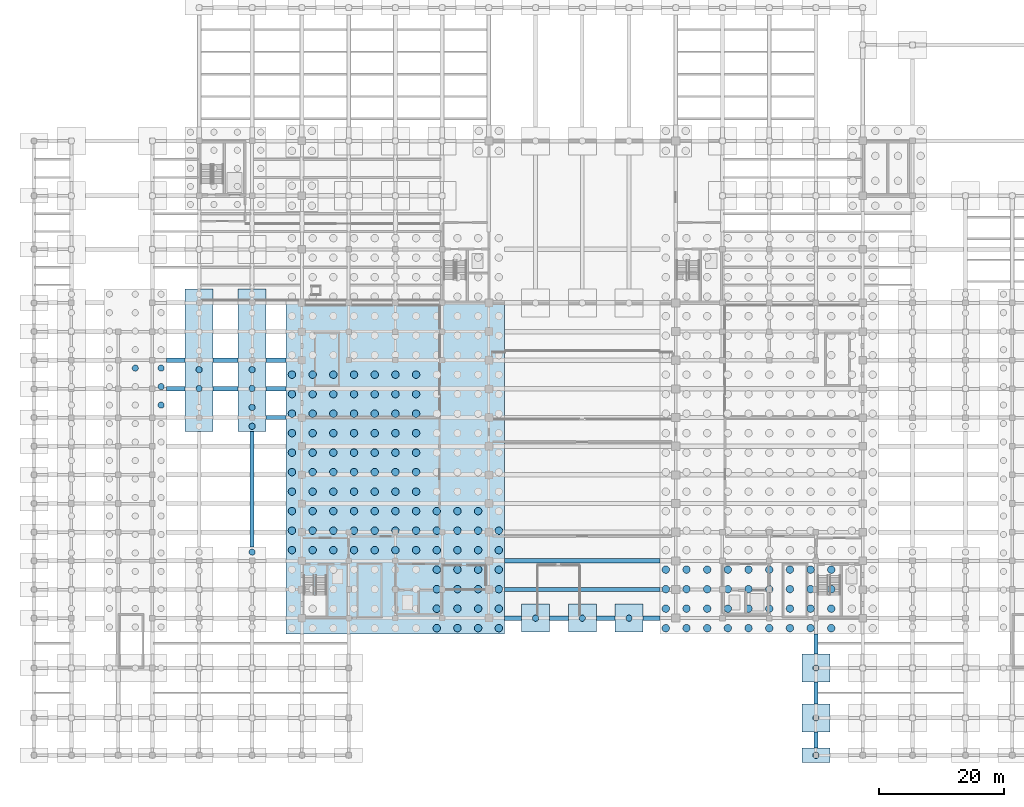
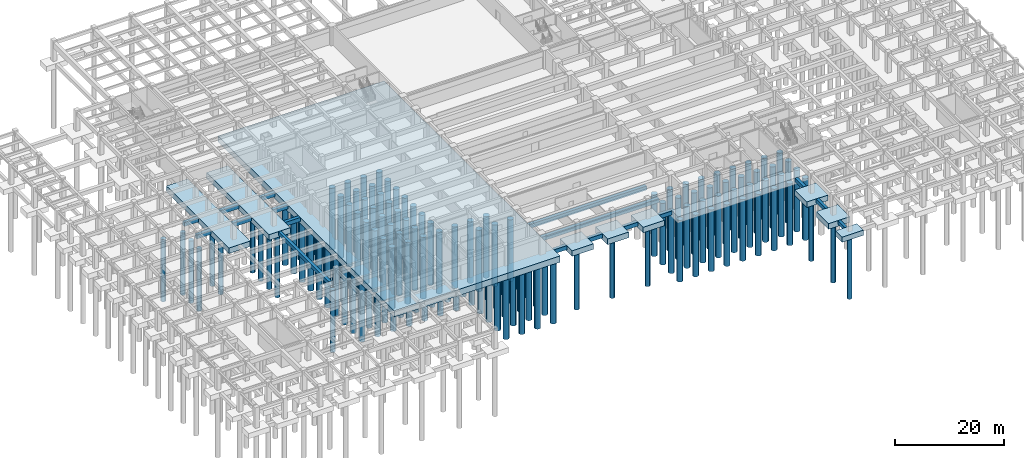
# One storey, part 3 of 32: 150 piles, 26 footings.
"""IFC4 building model written with IfcOpenShell, lengths in metres."""

from ifc_helpers import new_model, si_unit, direction, frame, origin, origin_2d, place, context, subcontext, project, spatial, rectangle, circle, extrude, material, material_profile, profile_set, type_object, element, save


model = new_model("IFC4")

# Units and contexts
model_context = context("Model", 3, precision=1e-05, world=origin(), true_north=direction((0.0, 1.0)))
body_context = subcontext(model_context, "Body", "Model", "MODEL_VIEW")
ifc_project = project(units=[si_unit("LENGTHUNIT", "METRE"), si_unit("AREAUNIT", "SQUARE_METRE"), si_unit("VOLUMEUNIT", "CUBIC_METRE"), si_unit("PLANEANGLEUNIT", "RADIAN"), si_unit("MASSUNIT", "GRAM", prefix="KILO")], contexts=[model_context])

# Site, building, storey
site_placement = place(None, origin())
site = spatial("IfcSite", under=ifc_project, at=site_placement, CompositionType="ELEMENT")
building_placement = place(site_placement, origin())
building = spatial("IfcBuilding", under=site, at=building_placement, Name="Muzn Square Opera House", CompositionType="ELEMENT")
storey_placement = place(building_placement, frame((0.0, 0.0, -4.199951171875)))
storey = spatial("IfcBuildingStorey", under=building, at=storey_placement, Name="B1", CompositionType="ELEMENT", Elevation=-4.199951171875)

# Piles
ifc_material = material(Name="Concrete C40/50", Category="concrete")
ifc_material_profile_1 = material_profile(ifc_material, circle(Radius=0.5, at=origin_2d()), Name="BORED PILE D1000", Category="concrete")
ifc_profile_set_1 = profile_set([ifc_material_profile_1], Name="Concrete C40/50")
pile_type_1 = type_object("IfcPileType", Name="Bored Pile D1000", PredefinedType="BORED", material=ifc_profile_set_1)
pile_placement = place(storey_placement, frame((125.5, 0.0, -1.469970703125), z_axis=(0.0, 0.0, -1.0), x_axis=(1.0, 0.0, 0.0)))
element("IfcPile", 1, at=pile_placement, inside=storey, type_object=pile_type_1, Name="Bored Pile BP-B1-BP-D1000-1255_0-9", PredefinedType="BORED", context=body_context, shape_type="SweptSolid", body=[
    extrude(circle(Radius=0.5, at=origin_2d()), origin(), (0.0, 0.0, 1.0), 14.030029296875),
])
for number, where, z_axis, x_axis, name in (
    (2, (125.5, 6.0, -1.570068359375), (0.0, 0.0, -1.0), (1.0, 0.0, 0.0), "Bored Pile BP-B1-BP-D1000-1255_60-24"),
    (3, (125.5, 14.0, -1.570068359375), (0.0, 0.0, -1.0), (1.0, 0.0, 0.0), "Bored Pile BP-B1-BP-D1000-1255_140-41"),
    (4, (16.25, 62.13330078125, -1.570068359375), (0.0, 0.0, -1.0), (1.0, 0.0, 0.0), "Bored Pile BP-B1-BP-D1000-162_621-565"),
    (5, (20.39990234375, 56.199951171875, -1.570068359375), (0.0, 0.0, -1.0), (1.0, 0.0, 0.0), "Bored Pile BP-B1-BP-D1000-204_562-582"),
    (6, (20.39990234375, 59.166748046875, -1.570068359375), (0.0, 0.0, -1.0), (1.0, 0.0, 0.0), "Bored Pile BP-B1-BP-D1000-204_592-583"),
    (7, (20.39990234375, 62.13330078125, -1.570068359375), (0.0, 0.0, -1.0), (1.0, 0.0, 0.0), "Bored Pile BP-B1-BP-D1000-204_621-584"),
    (8, (35.0, 32.60009765625, -1.570068359375), (0.0, 0.0, -1.0), (1.0, 0.0, 0.0), "Bored Pile BP-B1-BP-D1000-350_326-598"),
    (9, (80.5, 22.0, -1.570068359375), (0.0, 0.0, -1.0), (1.0, 0.0, 0.0), "Bored Pile BP-B1-BP-D1000-805_220-599"),
    (10, (88.0, 22.0, -1.570068359375), (0.0, 0.0, -1.0), (1.0, 0.0, 0.0), "Bored Pile BP-B1-BP-D1000-880_220-600"),
    (11, (95.5, 22.0, -1.570068359375), (0.0, 0.0, -1.0), (1.0, 0.0, 0.0), "Bored Pile BP-B1-BP-D1000-955_220-601"),
    (12, (26.5, 58.857177734375, -1.570068359375), (0.0, 0.0, -1.0), (1.0, 0.0, 0.0), "Bored Pile BP-B1-BP-D1000-265_589-704"),
    (13, (26.5, 61.8857421875, -1.570068359375), (0.0, 0.0, -1.0), (1.0, 0.0, 0.0), "Bored Pile BP-B1-BP-D1000-265_619-705"),
    (14, (35.0, 52.800048828125, -1.570068359375), (0.0, 0.0, -1.0), (1.0, 0.0, 0.0), "Bored Pile BP-B1-BP-D1000-350_528-710"),
    (15, (35.0, 55.82861328125, -1.570068359375), (0.0, 0.0, -1.0), (1.0, 0.0, 0.0), "Bored Pile BP-B1-BP-D1000-350_558-711"),
    (16, (35.0, 58.857177734375, -1.570068359375), (0.0, 0.0, -1.0), (1.0, 0.0, 0.0), "Bored Pile BP-B1-BP-D1000-350_589-712"),
    (17, (35.0, 61.8857421875, -1.570068359375), (0.0, 0.0, -1.0), (1.0, 0.0, 0.0), "Bored Pile BP-B1-BP-D1000-350_619-713"),
):
    element("IfcPile", number, at=place(storey_placement, frame(where, z_axis=z_axis, x_axis=x_axis)), inside=storey, type_object=pile_type_1, Name=name, PredefinedType="BORED", context=body_context, shape_type="SweptSolid", body=[
        extrude(circle(Radius=0.5, at=origin_2d()), origin(), (0.0, 0.0, 1.0), 13.929931640625),
    ])
ifc_material_profile_2 = material_profile(ifc_material, circle(Radius=0.60009765625, at=origin_2d()), Name="BORED PILE D1200", Category="concrete")
ifc_profile_set_2 = profile_set([ifc_material_profile_2], Name="Concrete C40/50")
pile_type_2 = type_object("IfcPileType", Name="Bored Pile D1200", PredefinedType="BORED", material=ifc_profile_set_2)
for number, where, z_axis, x_axis, name in (
    (18, (41.39990234375, 32.919921875, -1.719970703125), (0.0, 0.0, -1.0), (1.0, 0.0, 0.0), "Bored Pile BP-B1-BP-D1200-414_329-55"),
    (19, (41.39990234375, 36.050048828125, -1.719970703125), (0.0, 0.0, -1.0), (1.0, 0.0, 0.0), "Bored Pile BP-B1-BP-D1200-414_360-56"),
    (20, (41.39990234375, 39.179931640625, -1.719970703125), (0.0, 0.0, -1.0), (1.0, 0.0, 0.0), "Bored Pile BP-B1-BP-D1200-414_392-57"),
    (21, (41.39990234375, 42.31005859375, -1.719970703125), (0.0, 0.0, -1.0), (1.0, 0.0, 0.0), "Bored Pile BP-B1-BP-D1200-414_423-58"),
    (22, (41.39990234375, 45.43994140625, -1.719970703125), (0.0, 0.0, -1.0), (1.0, 0.0, 0.0), "Bored Pile BP-B1-BP-D1200-414_454-59"),
    (23, (41.39990234375, 48.570068359375, -1.719970703125), (0.0, 0.0, -1.0), (1.0, 0.0, 0.0), "Bored Pile BP-B1-BP-D1200-414_486-60"),
    (24, (41.39990234375, 51.699951171875, -1.719970703125), (0.0, 0.0, -1.0), (1.0, 0.0, 0.0), "Bored Pile BP-B1-BP-D1200-414_517-61"),
    (25, (41.39990234375, 54.830078125, -1.719970703125), (0.0, 0.0, -1.0), (1.0, 0.0, 0.0), "Bored Pile BP-B1-BP-D1200-414_548-62"),
    (26, (41.39990234375, 57.9599609375, -1.719970703125), (0.0, 0.0, -1.0), (1.0, 0.0, 0.0), "Bored Pile BP-B1-BP-D1200-414_580-63"),
    (27, (41.39990234375, 61.090087890625, -1.719970703125), (0.0, 0.0, -1.0), (1.0, 0.0, 0.0), "Bored Pile BP-B1-BP-D1200-414_611-64"),
    (28, (44.719970703125, 32.919921875, -1.719970703125), (0.0, 0.0, -1.0), (1.0, 0.0, 0.0), "Bored Pile BP-B1-BP-D1200-447_329-76"),
    (29, (44.719970703125, 36.050048828125, -1.719970703125), (0.0, 0.0, -1.0), (1.0, 0.0, 0.0), "Bored Pile BP-B1-BP-D1200-447_360-77"),
    (30, (44.719970703125, 39.179931640625, -1.719970703125), (0.0, 0.0, -1.0), (1.0, 0.0, 0.0), "Bored Pile BP-B1-BP-D1200-447_392-78"),
    (31, (44.719970703125, 42.31005859375, -1.719970703125), (0.0, 0.0, -1.0), (1.0, 0.0, 0.0), "Bored Pile BP-B1-BP-D1200-447_423-79"),
    (32, (44.719970703125, 45.43994140625, -1.719970703125), (0.0, 0.0, -1.0), (1.0, 0.0, 0.0), "Bored Pile BP-B1-BP-D1200-447_454-80"),
    (33, (44.719970703125, 48.570068359375, -1.719970703125), (0.0, 0.0, -1.0), (1.0, 0.0, 0.0), "Bored Pile BP-B1-BP-D1200-447_486-81"),
    (34, (44.719970703125, 51.699951171875, -1.719970703125), (0.0, 0.0, -1.0), (1.0, 0.0, 0.0), "Bored Pile BP-B1-BP-D1200-447_517-82"),
    (35, (44.719970703125, 54.830078125, -1.719970703125), (0.0, 0.0, -1.0), (1.0, 0.0, 0.0), "Bored Pile BP-B1-BP-D1200-447_548-83"),
    (36, (44.719970703125, 57.9599609375, -1.719970703125), (0.0, 0.0, -1.0), (1.0, 0.0, 0.0), "Bored Pile BP-B1-BP-D1200-447_580-84"),
    (37, (44.719970703125, 61.090087890625, -1.719970703125), (0.0, 0.0, -1.0), (1.0, 0.0, 0.0), "Bored Pile BP-B1-BP-D1200-447_611-85"),
    (38, (48.0400390625, 32.919921875, -1.719970703125), (0.0, 0.0, -1.0), (1.0, 0.0, 0.0), "Bored Pile BP-B1-BP-D1200-480_329-97"),
    (39, (48.0400390625, 36.050048828125, -1.719970703125), (0.0, 0.0, -1.0), (1.0, 0.0, 0.0), "Bored Pile BP-B1-BP-D1200-480_360-98"),
    (40, (48.0400390625, 39.179931640625, -1.719970703125), (0.0, 0.0, -1.0), (1.0, 0.0, 0.0), "Bored Pile BP-B1-BP-D1200-480_392-99"),
    (41, (48.0400390625, 42.31005859375, -1.719970703125), (0.0, 0.0, -1.0), (1.0, 0.0, 0.0), "Bored Pile BP-B1-BP-D1200-480_423-100"),
    (42, (48.0400390625, 45.43994140625, -1.719970703125), (0.0, 0.0, -1.0), (1.0, 0.0, 0.0), "Bored Pile BP-B1-BP-D1200-480_454-101"),
    (43, (48.0400390625, 48.570068359375, -1.719970703125), (0.0, 0.0, -1.0), (1.0, 0.0, 0.0), "Bored Pile BP-B1-BP-D1200-480_486-102"),
    (44, (48.0400390625, 51.699951171875, -1.719970703125), (0.0, 0.0, -1.0), (1.0, 0.0, 0.0), "Bored Pile BP-B1-BP-D1200-480_517-103"),
    (45, (48.0400390625, 54.830078125, -1.719970703125), (0.0, 0.0, -1.0), (1.0, 0.0, 0.0), "Bored Pile BP-B1-BP-D1200-480_548-104"),
    (46, (48.0400390625, 57.9599609375, -1.719970703125), (0.0, 0.0, -1.0), (1.0, 0.0, 0.0), "Bored Pile BP-B1-BP-D1200-480_580-105"),
    (47, (48.0400390625, 61.090087890625, -1.719970703125), (0.0, 0.0, -1.0), (1.0, 0.0, 0.0), "Bored Pile BP-B1-BP-D1200-480_611-106"),
    (48, (51.360107421875, 32.919921875, -1.719970703125), (0.0, 0.0, -1.0), (1.0, 0.0, 0.0), "Bored Pile BP-B1-BP-D1200-514_329-118"),
    (49, (51.360107421875, 36.050048828125, -1.719970703125), (0.0, 0.0, -1.0), (1.0, 0.0, 0.0), "Bored Pile BP-B1-BP-D1200-514_360-119"),
    (50, (51.360107421875, 39.179931640625, -1.719970703125), (0.0, 0.0, -1.0), (1.0, 0.0, 0.0), "Bored Pile BP-B1-BP-D1200-514_392-120"),
    (51, (51.360107421875, 42.31005859375, -1.719970703125), (0.0, 0.0, -1.0), (1.0, 0.0, 0.0), "Bored Pile BP-B1-BP-D1200-514_423-121"),
    (52, (51.360107421875, 45.43994140625, -1.719970703125), (0.0, 0.0, -1.0), (1.0, 0.0, 0.0), "Bored Pile BP-B1-BP-D1200-514_454-122"),
    (53, (51.360107421875, 48.570068359375, -1.719970703125), (0.0, 0.0, -1.0), (1.0, 0.0, 0.0), "Bored Pile BP-B1-BP-D1200-514_486-123"),
    (54, (51.360107421875, 51.699951171875, -1.719970703125), (0.0, 0.0, -1.0), (1.0, 0.0, 0.0), "Bored Pile BP-B1-BP-D1200-514_517-124"),
    (55, (51.360107421875, 54.830078125, -1.719970703125), (0.0, 0.0, -1.0), (1.0, 0.0, 0.0), "Bored Pile BP-B1-BP-D1200-514_548-125"),
    (56, (51.360107421875, 57.9599609375, -1.719970703125), (0.0, 0.0, -1.0), (1.0, 0.0, 0.0), "Bored Pile BP-B1-BP-D1200-514_580-126"),
    (57, (51.360107421875, 61.090087890625, -1.719970703125), (0.0, 0.0, -1.0), (1.0, 0.0, 0.0), "Bored Pile BP-B1-BP-D1200-514_611-127"),
    (58, (54.679931640625, 32.919921875, -1.719970703125), (0.0, 0.0, -1.0), (1.0, 0.0, 0.0), "Bored Pile BP-B1-BP-D1200-547_329-139"),
    (59, (54.679931640625, 36.050048828125, -1.719970703125), (0.0, 0.0, -1.0), (1.0, 0.0, 0.0), "Bored Pile BP-B1-BP-D1200-547_360-140"),
    (60, (54.679931640625, 39.179931640625, -1.719970703125), (0.0, 0.0, -1.0), (1.0, 0.0, 0.0), "Bored Pile BP-B1-BP-D1200-547_392-141"),
    (61, (54.679931640625, 42.31005859375, -1.719970703125), (0.0, 0.0, -1.0), (1.0, 0.0, 0.0), "Bored Pile BP-B1-BP-D1200-547_423-142"),
    (62, (54.679931640625, 45.43994140625, -1.719970703125), (0.0, 0.0, -1.0), (1.0, 0.0, 0.0), "Bored Pile BP-B1-BP-D1200-547_454-143"),
    (63, (54.679931640625, 48.570068359375, -1.719970703125), (0.0, 0.0, -1.0), (1.0, 0.0, 0.0), "Bored Pile BP-B1-BP-D1200-547_486-144"),
    (64, (54.679931640625, 51.699951171875, -1.719970703125), (0.0, 0.0, -1.0), (1.0, 0.0, 0.0), "Bored Pile BP-B1-BP-D1200-547_517-145"),
    (65, (54.679931640625, 54.830078125, -1.719970703125), (0.0, 0.0, -1.0), (1.0, 0.0, 0.0), "Bored Pile BP-B1-BP-D1200-547_548-146"),
    (66, (54.679931640625, 57.9599609375, -1.719970703125), (0.0, 0.0, -1.0), (1.0, 0.0, 0.0), "Bored Pile BP-B1-BP-D1200-547_580-147"),
    (67, (54.679931640625, 61.090087890625, -1.719970703125), (0.0, 0.0, -1.0), (1.0, 0.0, 0.0), "Bored Pile BP-B1-BP-D1200-547_611-148"),
    (68, (58.0, 32.919921875, -1.719970703125), (0.0, 0.0, -1.0), (1.0, 0.0, 0.0), "Bored Pile BP-B1-BP-D1200-580_329-160"),
    (69, (58.0, 36.050048828125, -1.719970703125), (0.0, 0.0, -1.0), (1.0, 0.0, 0.0), "Bored Pile BP-B1-BP-D1200-580_360-161"),
    (70, (58.0, 39.179931640625, -1.719970703125), (0.0, 0.0, -1.0), (1.0, 0.0, 0.0), "Bored Pile BP-B1-BP-D1200-580_392-162"),
    (71, (58.0, 42.31005859375, -1.719970703125), (0.0, 0.0, -1.0), (1.0, 0.0, 0.0), "Bored Pile BP-B1-BP-D1200-580_423-163"),
    (72, (58.0, 45.43994140625, -1.719970703125), (0.0, 0.0, -1.0), (1.0, 0.0, 0.0), "Bored Pile BP-B1-BP-D1200-580_454-164"),
    (73, (58.0, 48.570068359375, -1.719970703125), (0.0, 0.0, -1.0), (1.0, 0.0, 0.0), "Bored Pile BP-B1-BP-D1200-580_486-165"),
    (74, (58.0, 51.699951171875, -1.719970703125), (0.0, 0.0, -1.0), (1.0, 0.0, 0.0), "Bored Pile BP-B1-BP-D1200-580_517-166"),
    (75, (58.0, 54.830078125, -1.719970703125), (0.0, 0.0, -1.0), (1.0, 0.0, 0.0), "Bored Pile BP-B1-BP-D1200-580_548-167"),
    (76, (58.0, 57.9599609375, -1.719970703125), (0.0, 0.0, -1.0), (1.0, 0.0, 0.0), "Bored Pile BP-B1-BP-D1200-580_580-168"),
    (77, (58.0, 61.090087890625, -1.719970703125), (0.0, 0.0, -1.0), (1.0, 0.0, 0.0), "Bored Pile BP-B1-BP-D1200-580_611-169"),
    (78, (61.320068359375, 32.919921875, -1.719970703125), (0.0, 0.0, -1.0), (1.0, 0.0, 0.0), "Bored Pile BP-B1-BP-D1200-613_329-181"),
    (79, (61.320068359375, 36.050048828125, -1.719970703125), (0.0, 0.0, -1.0), (1.0, 0.0, 0.0), "Bored Pile BP-B1-BP-D1200-613_360-182"),
    (80, (61.320068359375, 39.179931640625, -1.719970703125), (0.0, 0.0, -1.0), (1.0, 0.0, 0.0), "Bored Pile BP-B1-BP-D1200-613_392-183"),
    (81, (61.320068359375, 42.31005859375, -1.719970703125), (0.0, 0.0, -1.0), (1.0, 0.0, 0.0), "Bored Pile BP-B1-BP-D1200-613_423-184"),
    (82, (61.320068359375, 45.43994140625, -1.719970703125), (0.0, 0.0, -1.0), (1.0, 0.0, 0.0), "Bored Pile BP-B1-BP-D1200-613_454-185"),
    (83, (61.320068359375, 48.570068359375, -1.719970703125), (0.0, 0.0, -1.0), (1.0, 0.0, 0.0), "Bored Pile BP-B1-BP-D1200-613_486-186"),
    (84, (61.320068359375, 51.699951171875, -1.719970703125), (0.0, 0.0, -1.0), (1.0, 0.0, 0.0), "Bored Pile BP-B1-BP-D1200-613_517-187"),
    (85, (61.320068359375, 54.830078125, -1.719970703125), (0.0, 0.0, -1.0), (1.0, 0.0, 0.0), "Bored Pile BP-B1-BP-D1200-613_548-188"),
    (86, (61.320068359375, 57.9599609375, -1.719970703125), (0.0, 0.0, -1.0), (1.0, 0.0, 0.0), "Bored Pile BP-B1-BP-D1200-613_580-189"),
    (87, (61.320068359375, 61.090087890625, -1.719970703125), (0.0, 0.0, -1.0), (1.0, 0.0, 0.0), "Bored Pile BP-B1-BP-D1200-613_611-190"),
    (88, (64.639892578125, 20.39990234375, -1.719970703125), (0.0, 0.0, -1.0), (1.0, 0.0, 0.0), "Bored Pile BP-B1-BP-D1200-646_204-198"),
    (89, (64.639892578125, 23.530029296875, -1.719970703125), (0.0, 0.0, -1.0), (1.0, 0.0, 0.0), "Bored Pile BP-B1-BP-D1200-646_235-199"),
    (90, (64.639892578125, 26.659912109375, -1.719970703125), (0.0, 0.0, -1.0), (1.0, 0.0, 0.0), "Bored Pile BP-B1-BP-D1200-646_267-200"),
    (91, (64.639892578125, 29.7900390625, -1.719970703125), (0.0, 0.0, -1.0), (1.0, 0.0, 0.0), "Bored Pile BP-B1-BP-D1200-646_298-201"),
    (92, (64.639892578125, 32.919921875, -1.719970703125), (0.0, 0.0, -1.0), (1.0, 0.0, 0.0), "Bored Pile BP-B1-BP-D1200-646_329-202"),
    (93, (64.639892578125, 36.050048828125, -1.719970703125), (0.0, 0.0, -1.0), (1.0, 0.0, 0.0), "Bored Pile BP-B1-BP-D1200-646_360-203"),
    (94, (64.639892578125, 39.179931640625, -1.719970703125), (0.0, 0.0, -1.0), (1.0, 0.0, 0.0), "Bored Pile BP-B1-BP-D1200-646_392-204"),
    (95, (67.9599609375, 20.39990234375, -1.719970703125), (0.0, 0.0, -1.0), (1.0, 0.0, 0.0), "Bored Pile BP-B1-BP-D1200-680_204-219"),
    (96, (67.9599609375, 23.530029296875, -1.719970703125), (0.0, 0.0, -1.0), (1.0, 0.0, 0.0), "Bored Pile BP-B1-BP-D1200-680_235-220"),
    (97, (67.9599609375, 26.659912109375, -1.719970703125), (0.0, 0.0, -1.0), (1.0, 0.0, 0.0), "Bored Pile BP-B1-BP-D1200-680_267-221"),
    (98, (67.9599609375, 29.7900390625, -1.719970703125), (0.0, 0.0, -1.0), (1.0, 0.0, 0.0), "Bored Pile BP-B1-BP-D1200-680_298-222"),
    (99, (67.9599609375, 32.919921875, -1.719970703125), (0.0, 0.0, -1.0), (1.0, 0.0, 0.0), "Bored Pile BP-B1-BP-D1200-680_329-223"),
    (100, (67.9599609375, 36.050048828125, -1.719970703125), (0.0, 0.0, -1.0), (1.0, 0.0, 0.0), "Bored Pile BP-B1-BP-D1200-680_360-224"),
    (101, (67.9599609375, 39.179931640625, -1.719970703125), (0.0, 0.0, -1.0), (1.0, 0.0, 0.0), "Bored Pile BP-B1-BP-D1200-680_392-225"),
    (102, (71.280029296875, 20.39990234375, -1.719970703125), (0.0, 0.0, -1.0), (1.0, 0.0, 0.0), "Bored Pile BP-B1-BP-D1200-713_204-240"),
    (103, (71.280029296875, 23.530029296875, -1.719970703125), (0.0, 0.0, -1.0), (1.0, 0.0, 0.0), "Bored Pile BP-B1-BP-D1200-713_235-241"),
    (104, (71.280029296875, 26.659912109375, -1.719970703125), (0.0, 0.0, -1.0), (1.0, 0.0, 0.0), "Bored Pile BP-B1-BP-D1200-713_267-242"),
    (105, (71.280029296875, 29.7900390625, -1.719970703125), (0.0, 0.0, -1.0), (1.0, 0.0, 0.0), "Bored Pile BP-B1-BP-D1200-713_298-243"),
    (106, (71.280029296875, 32.919921875, -1.719970703125), (0.0, 0.0, -1.0), (1.0, 0.0, 0.0), "Bored Pile BP-B1-BP-D1200-713_329-244"),
    (107, (71.280029296875, 36.050048828125, -1.719970703125), (0.0, 0.0, -1.0), (1.0, 0.0, 0.0), "Bored Pile BP-B1-BP-D1200-713_360-245"),
    (108, (71.280029296875, 39.179931640625, -1.719970703125), (0.0, 0.0, -1.0), (1.0, 0.0, 0.0), "Bored Pile BP-B1-BP-D1200-713_392-246"),
    (109, (74.60009765625, 20.39990234375, -1.719970703125), (0.0, 0.0, -1.0), (1.0, 0.0, 0.0), "Bored Pile BP-B1-BP-D1200-746_204-261"),
    (110, (74.60009765625, 23.530029296875, -1.719970703125), (0.0, 0.0, -1.0), (1.0, 0.0, 0.0), "Bored Pile BP-B1-BP-D1200-746_235-262"),
    (111, (74.60009765625, 26.659912109375, -1.719970703125), (0.0, 0.0, -1.0), (1.0, 0.0, 0.0), "Bored Pile BP-B1-BP-D1200-746_267-263"),
    (112, (74.60009765625, 29.7900390625, -1.719970703125), (0.0, 0.0, -1.0), (1.0, 0.0, 0.0), "Bored Pile BP-B1-BP-D1200-746_298-264"),
    (113, (74.60009765625, 32.919921875, -1.719970703125), (0.0, 0.0, -1.0), (1.0, 0.0, 0.0), "Bored Pile BP-B1-BP-D1200-746_329-265"),
    (114, (74.60009765625, 36.050048828125, -1.719970703125), (0.0, 0.0, -1.0), (1.0, 0.0, 0.0), "Bored Pile BP-B1-BP-D1200-746_360-266"),
    (115, (101.39990234375, 20.39990234375, -1.719970703125), (0.0, 0.0, -1.0), (1.0, 0.0, 0.0), "Bored Pile BP-B1-BP-D1200-1014_204-282"),
    (116, (101.39990234375, 23.530029296875, -1.719970703125), (0.0, 0.0, -1.0), (1.0, 0.0, 0.0), "Bored Pile BP-B1-BP-D1200-1014_235-283"),
    (117, (101.39990234375, 26.659912109375, -1.719970703125), (0.0, 0.0, -1.0), (1.0, 0.0, 0.0), "Bored Pile BP-B1-BP-D1200-1014_267-284"),
    (118, (101.39990234375, 29.7900390625, -1.719970703125), (0.0, 0.0, -1.0), (1.0, 0.0, 0.0), "Bored Pile BP-B1-BP-D1200-1014_298-285"),
    (119, (104.719970703125, 20.39990234375, -1.719970703125), (0.0, 0.0, -1.0), (1.0, 0.0, 0.0), "Bored Pile BP-B1-BP-D1200-1047_204-303"),
    (120, (104.719970703125, 23.530029296875, -1.719970703125), (0.0, 0.0, -1.0), (1.0, 0.0, 0.0), "Bored Pile BP-B1-BP-D1200-1047_235-304"),
    (121, (104.719970703125, 26.659912109375, -1.719970703125), (0.0, 0.0, -1.0), (1.0, 0.0, 0.0), "Bored Pile BP-B1-BP-D1200-1047_267-305"),
    (122, (104.719970703125, 29.7900390625, -1.719970703125), (0.0, 0.0, -1.0), (1.0, 0.0, 0.0), "Bored Pile BP-B1-BP-D1200-1047_298-306"),
    (123, (108.0400390625, 20.39990234375, -1.719970703125), (0.0, 0.0, -1.0), (1.0, 0.0, 0.0), "Bored Pile BP-B1-BP-D1200-1080_204-324"),
    (124, (108.0400390625, 23.530029296875, -1.719970703125), (0.0, 0.0, -1.0), (1.0, 0.0, 0.0), "Bored Pile BP-B1-BP-D1200-1080_235-325"),
    (125, (108.0400390625, 26.659912109375, -1.719970703125), (0.0, 0.0, -1.0), (1.0, 0.0, 0.0), "Bored Pile BP-B1-BP-D1200-1080_267-326"),
    (126, (108.0400390625, 29.7900390625, -1.719970703125), (0.0, 0.0, -1.0), (1.0, 0.0, 0.0), "Bored Pile BP-B1-BP-D1200-1080_298-327"),
    (127, (111.360107421875, 20.39990234375, -1.719970703125), (0.0, 0.0, -1.0), (1.0, 0.0, 0.0), "Bored Pile BP-B1-BP-D1200-1114_204-345"),
    (128, (111.360107421875, 23.530029296875, -1.719970703125), (0.0, 0.0, -1.0), (1.0, 0.0, 0.0), "Bored Pile BP-B1-BP-D1200-1114_235-346"),
    (129, (111.360107421875, 26.659912109375, -1.719970703125), (0.0, 0.0, -1.0), (1.0, 0.0, 0.0), "Bored Pile BP-B1-BP-D1200-1114_267-347"),
    (130, (111.360107421875, 29.7900390625, -1.719970703125), (0.0, 0.0, -1.0), (1.0, 0.0, 0.0), "Bored Pile BP-B1-BP-D1200-1114_298-348"),
    (131, (114.679931640625, 20.39990234375, -1.719970703125), (0.0, 0.0, -1.0), (1.0, 0.0, 0.0), "Bored Pile BP-B1-BP-D1200-1147_204-366"),
    (132, (114.679931640625, 23.530029296875, -1.719970703125), (0.0, 0.0, -1.0), (1.0, 0.0, 0.0), "Bored Pile BP-B1-BP-D1200-1147_235-367"),
    (133, (114.679931640625, 26.659912109375, -1.719970703125), (0.0, 0.0, -1.0), (1.0, 0.0, 0.0), "Bored Pile BP-B1-BP-D1200-1147_267-368"),
    (134, (114.679931640625, 29.7900390625, -1.719970703125), (0.0, 0.0, -1.0), (1.0, 0.0, 0.0), "Bored Pile BP-B1-BP-D1200-1147_298-369"),
    (135, (118.0, 20.39990234375, -1.719970703125), (0.0, 0.0, -1.0), (1.0, 0.0, 0.0), "Bored Pile BP-B1-BP-D1200-1180_204-387"),
    (136, (118.0, 23.530029296875, -1.719970703125), (0.0, 0.0, -1.0), (1.0, 0.0, 0.0), "Bored Pile BP-B1-BP-D1200-1180_235-388"),
    (137, (118.0, 26.659912109375, -1.719970703125), (0.0, 0.0, -1.0), (1.0, 0.0, 0.0), "Bored Pile BP-B1-BP-D1200-1180_267-389"),
    (138, (118.0, 29.7900390625, -1.719970703125), (0.0, 0.0, -1.0), (1.0, 0.0, 0.0), "Bored Pile BP-B1-BP-D1200-1180_298-390"),
    (139, (121.320068359375, 20.39990234375, -1.719970703125), (0.0, 0.0, -1.0), (1.0, 0.0, 0.0), "Bored Pile BP-B1-BP-D1200-1213_204-408"),
    (140, (121.320068359375, 23.530029296875, -1.719970703125), (0.0, 0.0, -1.0), (1.0, 0.0, 0.0), "Bored Pile BP-B1-BP-D1200-1213_235-409"),
    (141, (121.320068359375, 26.659912109375, -1.719970703125), (0.0, 0.0, -1.0), (1.0, 0.0, 0.0), "Bored Pile BP-B1-BP-D1200-1213_267-410"),
    (142, (121.320068359375, 29.7900390625, -1.719970703125), (0.0, 0.0, -1.0), (1.0, 0.0, 0.0), "Bored Pile BP-B1-BP-D1200-1213_298-411"),
    (143, (124.639892578125, 20.39990234375, -1.719970703125), (0.0, 0.0, -1.0), (1.0, 0.0, 0.0), "Bored Pile BP-B1-BP-D1200-1246_204-429"),
    (144, (124.639892578125, 23.530029296875, -1.719970703125), (0.0, 0.0, -1.0), (1.0, 0.0, 0.0), "Bored Pile BP-B1-BP-D1200-1246_235-430"),
    (145, (124.639892578125, 26.659912109375, -1.719970703125), (0.0, 0.0, -1.0), (1.0, 0.0, 0.0), "Bored Pile BP-B1-BP-D1200-1246_267-431"),
    (146, (124.639892578125, 29.7900390625, -1.719970703125), (0.0, 0.0, -1.0), (1.0, 0.0, 0.0), "Bored Pile BP-B1-BP-D1200-1246_298-432"),
    (147, (127.9599609375, 20.39990234375, -1.719970703125), (0.0, 0.0, -1.0), (1.0, 0.0, 0.0), "Bored Pile BP-B1-BP-D1200-1280_204-450"),
    (148, (127.9599609375, 23.530029296875, -1.719970703125), (0.0, 0.0, -1.0), (1.0, 0.0, 0.0), "Bored Pile BP-B1-BP-D1200-1280_235-451"),
    (149, (127.9599609375, 26.659912109375, -1.719970703125), (0.0, 0.0, -1.0), (1.0, 0.0, 0.0), "Bored Pile BP-B1-BP-D1200-1280_267-452"),
    (150, (127.9599609375, 29.7900390625, -1.719970703125), (0.0, 0.0, -1.0), (1.0, 0.0, 0.0), "Bored Pile BP-B1-BP-D1200-1280_298-453"),
):
    element("IfcPile", number, at=place(storey_placement, frame(where, z_axis=z_axis, x_axis=x_axis)), inside=storey, type_object=pile_type_2, Name=name, PredefinedType="BORED", context=body_context, shape_type="SweptSolid", body=[
        extrude(circle(Radius=0.60009765625, at=origin_2d()), origin(), (0.0, 0.0, 1.0), 13.780029296875),
    ])

# Footings
ifc_material_profile_3 = material_profile(ifc_material, rectangle(XDim=0.60009765625, YDim=0.800048828125, at=origin_2d()), Name="RCTB 600x800", Category="concrete")
ifc_profile_set_3 = profile_set([ifc_material_profile_3], Name="Concrete C40/50")
footing_type_1 = type_object("IfcFootingType", Name="Foundation Tie Beam 600x800", PredefinedType="FOOTING_BEAM", material=ifc_profile_set_3)
footing_1_placement = place(storey_placement, frame((35.0, 33.449951171875, -0.820068359375), z_axis=(0.0, 1.0, 0.0), x_axis=(-1.0, 0.0, 0.0)))
element("IfcFooting", 151, at=footing_1_placement, inside=storey, type_object=footing_type_1, Name="Foundation Tie Beam FTB-Y263", PredefinedType="FOOTING_BEAM", context=body_context, shape_type="SweptSolid", body=[
    extrude(rectangle(XDim=0.60009765625, YDim=0.800048828125, at=origin_2d()), origin(), (0.0, 0.0, 1.0), 18.5),
])
footing_2_placement = place(storey_placement, frame((125.5, 1.199951171875, -0.820068359375), z_axis=(0.0, 1.0, 0.0), x_axis=(-1.0, 0.0, 0.0)))
element("IfcFooting", 152, at=footing_2_placement, inside=storey, type_object=footing_type_1, Name="Foundation Tie Beam FTB-Y301", PredefinedType="FOOTING_BEAM", context=body_context, shape_type="SweptSolid", body=[
    extrude(rectangle(XDim=0.60009765625, YDim=0.800048828125, at=origin_2d()), origin(), (0.0, 0.0, 1.0), 2.550048828125),
])
footing_3_placement = place(storey_placement, frame((125.5, 8.25, -0.820068359375), z_axis=(0.0, 1.0, 0.0), x_axis=(-1.0, 0.0, 0.0)))
element("IfcFooting", 153, at=footing_3_placement, inside=storey, type_object=footing_type_1, Name="Foundation Tie Beam FTB-Y302", PredefinedType="FOOTING_BEAM", context=body_context, shape_type="SweptSolid", body=[
    extrude(rectangle(XDim=0.60009765625, YDim=0.800048828125, at=origin_2d()), origin(), (0.0, 0.0, 1.0), 3.5),
])
footing_4_placement = place(storey_placement, frame((125.5, 16.25, -0.820068359375), z_axis=(0.0, 1.0, 0.0), x_axis=(-1.0, 0.0, 0.0)))
element("IfcFooting", 154, at=footing_4_placement, inside=storey, type_object=footing_type_1, Name="Foundation Tie Beam FTB-Y303", PredefinedType="FOOTING_BEAM", context=body_context, shape_type="SweptSolid", body=[
    extrude(rectangle(XDim=0.60009765625, YDim=0.800048828125, at=origin_2d()), origin(), (0.0, 0.0, 1.0), 3.199951171875),
])
ifc_material_profile_4 = material_profile(ifc_material, rectangle(XDim=0.699951171875, YDim=0.89990234375, at=origin_2d()), Name="RCTB 700x900", Category="concrete")
ifc_profile_set_4 = profile_set([ifc_material_profile_4], Name="Concrete C40/50")
footing_type_2 = type_object("IfcFootingType", Name="Foundation Tie Beam 700x900", PredefinedType="FOOTING_BEAM", material=ifc_profile_set_4)
footing_5_placement = place(storey_placement, frame((75.550048828125, 22.0, -0.8701171875), z_axis=(1.0, 0.0, 0.0), x_axis=(0.0, 1.0, 0.0)))
element("IfcFooting", 155, at=footing_5_placement, inside=storey, type_object=footing_type_2, Name="Foundation Tie Beam FTB-X046", PredefinedType="FOOTING_BEAM", context=body_context, shape_type="SweptSolid", body=[
    extrude(rectangle(XDim=0.699951171875, YDim=0.89990234375, at=origin_2d()), origin(), (0.0, 0.0, 1.0), 2.699951171875),
])
for number, where, z_axis, x_axis, name in (
    (156, (82.75, 22.0, -0.8701171875), (1.0, 0.0, 0.0), (0.0, 1.0, 0.0), "Foundation Tie Beam FTB-X047"),
    (157, (90.25, 22.0, -0.8701171875), (1.0, 0.0, 0.0), (0.0, 1.0, 0.0), "Foundation Tie Beam FTB-X048"),
):
    element("IfcFooting", number, at=place(storey_placement, frame(where, z_axis=z_axis, x_axis=x_axis)), inside=storey, type_object=footing_type_2, Name=name, PredefinedType="FOOTING_BEAM", context=body_context, shape_type="SweptSolid", body=[
        extrude(rectangle(XDim=0.699951171875, YDim=0.89990234375, at=origin_2d()), origin(), (0.0, 0.0, 1.0), 3.0),
    ])
footing_6_placement = place(storey_placement, frame((97.75, 22.0, -0.8701171875), z_axis=(1.0, 0.0, 0.0), x_axis=(0.0, 1.0, 0.0)))
element("IfcFooting", 158, at=footing_6_placement, inside=storey, type_object=footing_type_2, Name="Foundation Tie Beam FTB-X049", PredefinedType="FOOTING_BEAM", context=body_context, shape_type="SweptSolid", body=[
    extrude(rectangle(XDim=0.699951171875, YDim=0.89990234375, at=origin_2d()), origin(), (0.0, 0.0, 1.0), 2.699951171875),
])
for number, where, z_axis, x_axis, name in (
    (159, (75.550048828125, 26.60009765625, -0.8701171875), (1.0, 0.0, 0.0), (0.0, 1.0, 0.0), "Foundation Tie Beam FTB-X060"),
    (160, (75.550048828125, 31.199951171875, -0.8701171875), (1.0, 0.0, 0.0), (0.0, 1.0, 0.0), "Foundation Tie Beam FTB-X071"),
):
    element("IfcFooting", number, at=place(storey_placement, frame(where, z_axis=z_axis, x_axis=x_axis)), inside=storey, type_object=footing_type_2, Name=name, PredefinedType="FOOTING_BEAM", context=body_context, shape_type="SweptSolid", body=[
        extrude(rectangle(XDim=0.699951171875, YDim=0.89990234375, at=origin_2d()), origin(), (0.0, 0.0, 1.0), 24.89990234375),
    ])
footing_7_placement = place(storey_placement, frame((37.25, 54.199951171875, -0.8701171875), z_axis=(1.0, 0.0, 0.0), x_axis=(0.0, 1.0, 0.0)))
element("IfcFooting", 161, at=footing_7_placement, inside=storey, type_object=footing_type_2, Name="Foundation Tie Beam FTB-X109", PredefinedType="FOOTING_BEAM", context=body_context, shape_type="SweptSolid", body=[
    extrude(rectangle(XDim=0.699951171875, YDim=0.89990234375, at=origin_2d()), origin(), (0.0, 0.0, 1.0), 3.199951171875),
])
footing_8_placement = place(storey_placement, frame((21.25, 58.800048828125, -0.8701171875), z_axis=(1.0, 0.0, 0.0), x_axis=(0.0, 1.0, 0.0)))
element("IfcFooting", 162, at=footing_8_placement, inside=storey, type_object=footing_type_2, Name="Foundation Tie Beam FTB-X118", PredefinedType="FOOTING_BEAM", context=body_context, shape_type="SweptSolid", body=[
    extrude(rectangle(XDim=0.699951171875, YDim=0.89990234375, at=origin_2d()), origin(), (0.0, 0.0, 1.0), 3.0),
])
footing_9_placement = place(storey_placement, frame((28.75, 58.800048828125, -0.8701171875), z_axis=(1.0, 0.0, 0.0), x_axis=(0.0, 1.0, 0.0)))
element("IfcFooting", 163, at=footing_9_placement, inside=storey, type_object=footing_type_2, Name="Foundation Tie Beam FTB-X119", PredefinedType="FOOTING_BEAM", context=body_context, shape_type="SweptSolid", body=[
    extrude(rectangle(XDim=0.699951171875, YDim=0.89990234375, at=origin_2d()), origin(), (0.0, 0.0, 1.0), 4.0),
])
footing_10_placement = place(storey_placement, frame((37.25, 58.800048828125, -0.8701171875), z_axis=(1.0, 0.0, 0.0), x_axis=(0.0, 1.0, 0.0)))
element("IfcFooting", 164, at=footing_10_placement, inside=storey, type_object=footing_type_2, Name="Foundation Tie Beam FTB-X120", PredefinedType="FOOTING_BEAM", context=body_context, shape_type="SweptSolid", body=[
    extrude(rectangle(XDim=0.699951171875, YDim=0.89990234375, at=origin_2d()), origin(), (0.0, 0.0, 1.0), 3.199951171875),
])
footing_11_placement = place(storey_placement, frame((21.25, 63.39990234375, -0.8701171875), z_axis=(1.0, 0.0, 0.0), x_axis=(0.0, 1.0, 0.0)))
element("IfcFooting", 165, at=footing_11_placement, inside=storey, type_object=footing_type_2, Name="Foundation Tie Beam FTB-X129", PredefinedType="FOOTING_BEAM", context=body_context, shape_type="SweptSolid", body=[
    extrude(rectangle(XDim=0.699951171875, YDim=0.89990234375, at=origin_2d()), origin(), (0.0, 0.0, 1.0), 3.0),
])
footing_12_placement = place(storey_placement, frame((28.75, 63.39990234375, -0.8701171875), z_axis=(1.0, 0.0, 0.0), x_axis=(0.0, 1.0, 0.0)))
element("IfcFooting", 166, at=footing_12_placement, inside=storey, type_object=footing_type_2, Name="Foundation Tie Beam FTB-X130", PredefinedType="FOOTING_BEAM", context=body_context, shape_type="SweptSolid", body=[
    extrude(rectangle(XDim=0.699951171875, YDim=0.89990234375, at=origin_2d()), origin(), (0.0, 0.0, 1.0), 4.0),
])
footing_13_placement = place(storey_placement, frame((37.25, 63.39990234375, -0.8701171875), z_axis=(1.0, 0.0, 0.0), x_axis=(0.0, 1.0, 0.0)))
element("IfcFooting", 167, at=footing_13_placement, inside=storey, type_object=footing_type_2, Name="Foundation Tie Beam FTB-X131", PredefinedType="FOOTING_BEAM", context=body_context, shape_type="SweptSolid", body=[
    extrude(rectangle(XDim=0.699951171875, YDim=0.89990234375, at=origin_2d()), origin(), (0.0, 0.0, 1.0), 3.199951171875),
])
footing_type_3 = type_object("IfcFootingType", Name="Pile Cap 22900x4500x1250", PredefinedType="PILE_CAP", material=ifc_material)
for number, where, z_axis, x_axis, name in (
    (168, (26.5, 63.39990234375, -1.670166015625), (0.0, 0.0, 1.0), (1.0, 0.0, 0.0), "Pile Cap PC-B1-074"),
    (169, (35.0, 63.39990234375, -1.670166015625), (0.0, 0.0, 1.0), (1.0, 0.0, 0.0), "Pile Cap PC-B1-075"),
):
    element("IfcFooting", number, at=place(storey_placement, frame(where, z_axis=z_axis, x_axis=x_axis)), inside=storey, type_object=footing_type_3, Name=name, PredefinedType="PILE_CAP", context=body_context, shape_type="SweptSolid", body=[
        extrude(rectangle(XDim=4.5, YDim=22.89990234375, at=origin_2d()), origin(), (0.0, 0.0, 1.0), 1.25),
    ])
footing_type_4 = type_object("IfcFootingType", Name="Pile Cap 4500x2400x1150", PredefinedType="PILE_CAP", material=ifc_material)
footing_14_placement = place(storey_placement, frame((125.5, 0.0, -1.570068359375), z_axis=(0.0, 0.0, 1.0), x_axis=(1.0, 0.0, 0.0)))
element("IfcFooting", 170, at=footing_14_placement, inside=storey, type_object=footing_type_4, Name="Pile Cap PC-B1-009", PredefinedType="PILE_CAP", context=body_context, shape_type="SweptSolid", body=[
    extrude(rectangle(XDim=4.5, YDim=2.39990234375, at=origin_2d()), origin(), (0.0, 0.0, 1.0), 1.14990234375),
])
footing_type_5 = type_object("IfcFootingType", Name="Pile Cap 4500x4500x1250", PredefinedType="PILE_CAP", material=ifc_material)
for number, where, z_axis, x_axis, name in (
    (171, (125.5, 6.0, -1.670166015625), (0.0, 0.0, 1.0), (1.0, 0.0, 0.0), "Pile Cap PC-B1-024"),
    (172, (125.5, 14.0, -1.670166015625), (0.0, 0.0, 1.0), (1.0, 0.0, 0.0), "Pile Cap PC-B1-039"),
    (173, (80.5, 22.0, -1.670166015625), (0.0, 0.0, 1.0), (1.0, 0.0, 0.0), "Pile Cap PC-B1-053"),
    (174, (88.0, 22.0, -1.670166015625), (0.0, 0.0, 1.0), (1.0, 0.0, 0.0), "Pile Cap PC-B1-054"),
    (175, (95.5, 22.0, -1.670166015625), (0.0, 0.0, 1.0), (1.0, 0.0, 0.0), "Pile Cap PC-B1-055"),
):
    element("IfcFooting", number, at=place(storey_placement, frame(where, z_axis=z_axis, x_axis=x_axis)), inside=storey, type_object=footing_type_5, Name=name, PredefinedType="PILE_CAP", context=body_context, shape_type="SweptSolid", body=[
        extrude(rectangle(XDim=4.5, YDim=4.5, at=origin_2d()), origin(), (0.0, 0.0, 1.0), 1.25),
    ])
footing_type_6 = type_object("IfcFootingType", Name="Pile Cap 64500x35100x1400", PredefinedType="PILE_CAP", material=ifc_material)
footing_15_placement = place(storey_placement, frame((58.0, 51.699951171875, -1.820068359375), z_axis=(0.0, 0.0, 1.0), x_axis=(1.0, 0.0, 0.0)))
element("IfcFooting", 176, at=footing_15_placement, inside=storey, type_object=footing_type_6, Name="Pile Cap PC-B1-047", PredefinedType="PILE_CAP", context=body_context, shape_type="SweptSolid", body=[
    extrude(rectangle(XDim=35.10009765625, YDim=64.5, at=origin_2d()), origin(), (0.0, 0.0, 1.0), 1.39990234375),
])

save(model, "model.ifc")
